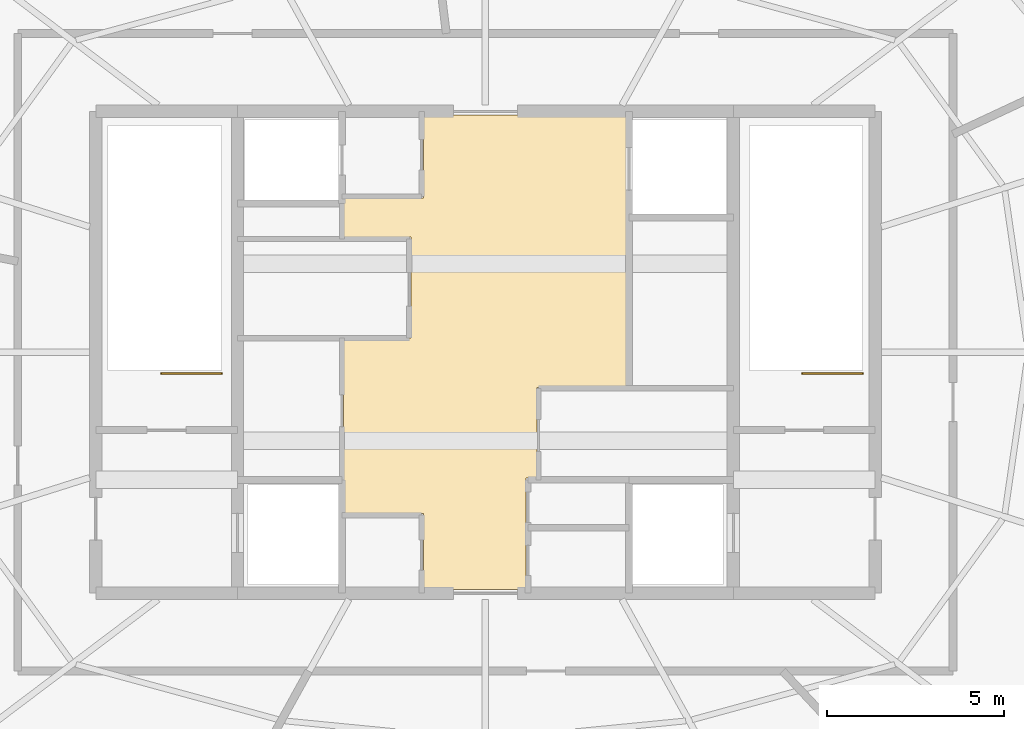
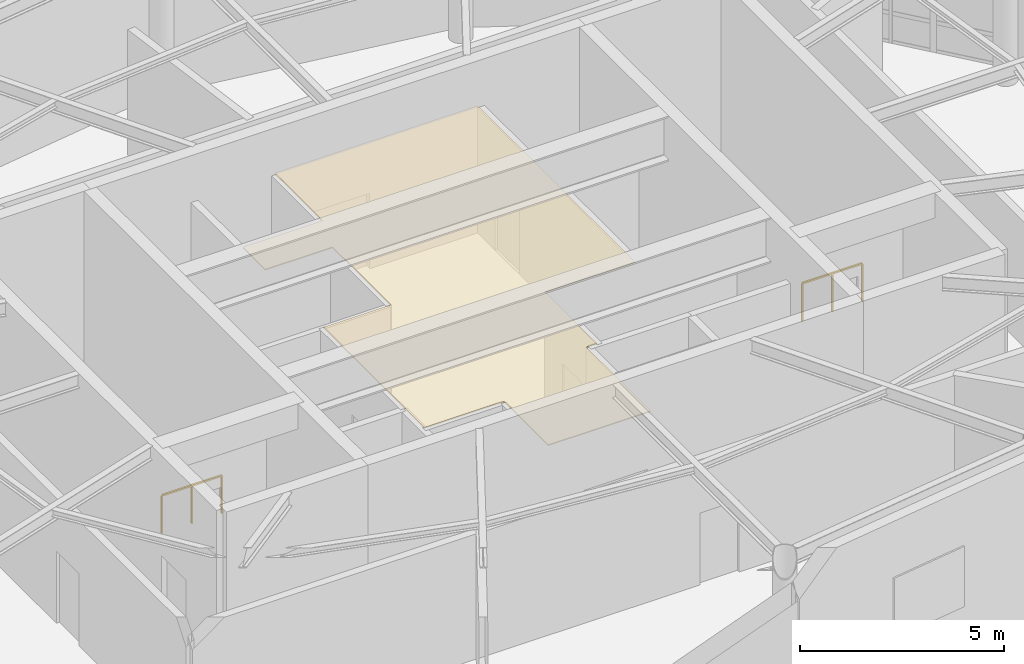
# One storey, part 14 of 14: 2 railings, 1 covering.
"""IFC4 building model written with IfcOpenShell, lengths in metres."""

from ifc_helpers import new_model, si_unit, direction, frame, origin, origin_2d, place, context, subcontext, project, spatial, polyline, rectangle, outline, extrude, material, layer, layer_set, type_object, element, save


model = new_model("IFC4")

# Units and contexts
model_context = context("Model", 3, precision=1e-05, world=origin(), true_north=direction((0.0, 1.0)))
body_context = subcontext(model_context, "Body", "Model", "MODEL_VIEW")
ifc_project = project(units=[si_unit("LENGTHUNIT", "METRE"), si_unit("AREAUNIT", "SQUARE_METRE"), si_unit("VOLUMEUNIT", "CUBIC_METRE"), si_unit("PLANEANGLEUNIT", "RADIAN"), si_unit("MASSUNIT", "GRAM", prefix="KILO")], contexts=[model_context])

# Site, building, storey
site_placement = place(None, origin())
site = spatial("IfcSite", under=ifc_project, at=site_placement, CompositionType="ELEMENT")
building_placement = place(site_placement, origin())
building = spatial("IfcBuilding", under=site, at=building_placement, Name="Sarneth Arch Tower", CompositionType="ELEMENT")
storey_placement = place(building_placement, frame((0.0, 0.0, 321.60009765625)))
storey = spatial("IfcBuildingStorey", under=building, at=storey_placement, Name="L83", CompositionType="ELEMENT", Elevation=321.60009765625)

# Covering
ifc_material_1 = material(Name="Perforated acoustic gypsum ceiling board")
ifc_layer = layer(ifc_material_1, 0.02490234375)
ifc_layer_set = layer_set([ifc_layer], Name="Perforated acoustic gypsum ceiling board")
covering_type = type_object("IfcCoveringType", Name="COV-CEIL-GYP", PredefinedType="CEILING", material=ifc_layer_set)
covering_placement = place(storey_placement, frame((0.0, 0.0, 3.7099609375)))
element("IfcCovering", 1, at=covering_placement, inside=storey, type_object=covering_type, Name="L83 Lift lobby acoustic ceiling", PredefinedType="CEILING", context=body_context, shape_type="SweptSolid", body=[
    extrude(outline(polyline([(49.449951171875, 41.0), (49.449951171875, 38.449951171875), (49.14990234375, 38.449951171875), (49.14990234375, 35.300048828125), (46.25, 35.300048828125), (46.25, 37.449951171875), (44.0, 37.449951171875), (44.0, 42.39990234375), (45.89990234375, 42.39990234375), (45.89990234375, 45.25), (44.0, 45.25), (44.0, 46.35009765625), (46.25, 46.35009765625), (46.25, 48.699951171875), (52.0, 48.699951171875), (52.0, 41.0), (49.449951171875, 41.0)])), origin(), (0.0, 0.0, 1.0), 0.030029296875),
])

# Railings
ifc_material_2 = material(Name="Painted Steel S275 stair well guard", Category="steel")
railing_type = type_object("IfcRailingType", Name="RAIL-STAIR-GUARD", PredefinedType="GUARDRAIL", material=ifc_material_2)
for number, where, name in (
    (2, (40.550048828125, 41.39990234375, 0.0), "L83 ST-1 top well guard 1"),
    (3, (58.64990234375, 41.39990234375, 0.0), "L83 ST-2 top well guard 1"),
):
    element("IfcRailing", number, at=place(storey_placement, frame(where)), inside=storey, type_object=railing_type, Name=name, PredefinedType="GUARDRAIL", context=body_context, shape_type="SweptSolid", body=[
        extrude(rectangle(XDim=0.048095703125, YDim=0.048095703125, at=origin_2d()), frame((0.0, 0.0, 1.1259765625), z_axis=(-1.0, 0.0, 0.0), x_axis=(0.0, -1.0, 0.0)), (0.0, 0.0, 1.0), 1.699951171875),
        extrude(rectangle(XDim=0.0419921875, YDim=0.0419921875, at=origin_2d()), origin(), (0.0, 0.0, 1.0), 1.101806640625),
        extrude(rectangle(XDim=0.0419921875, YDim=0.0419921875, at=origin_2d()), frame((-0.85009765625, 0.0, 0.0)), (0.0, 0.0, 1.0), 1.101806640625),
        extrude(rectangle(XDim=0.0419921875, YDim=0.0419921875, at=origin_2d()), frame((-1.699951171875, 0.0, 0.0)), (0.0, 0.0, 1.0), 1.101806640625),
    ])

save(model, "model.ifc")
